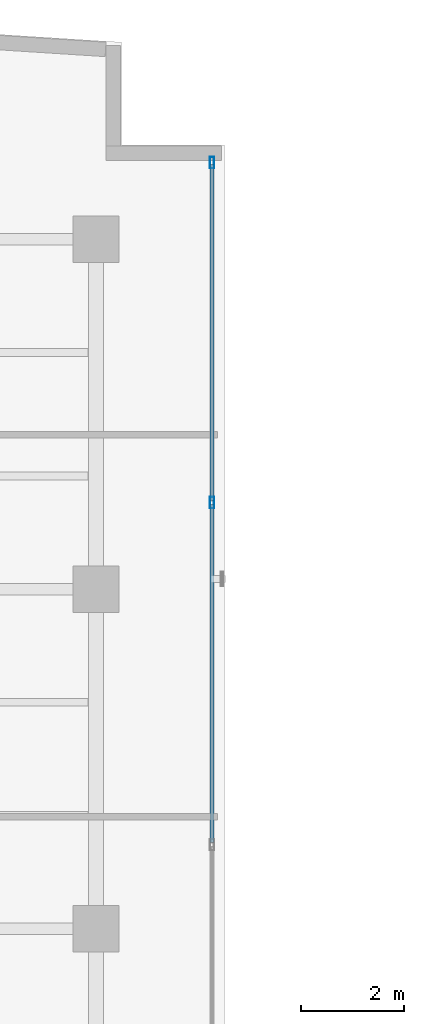
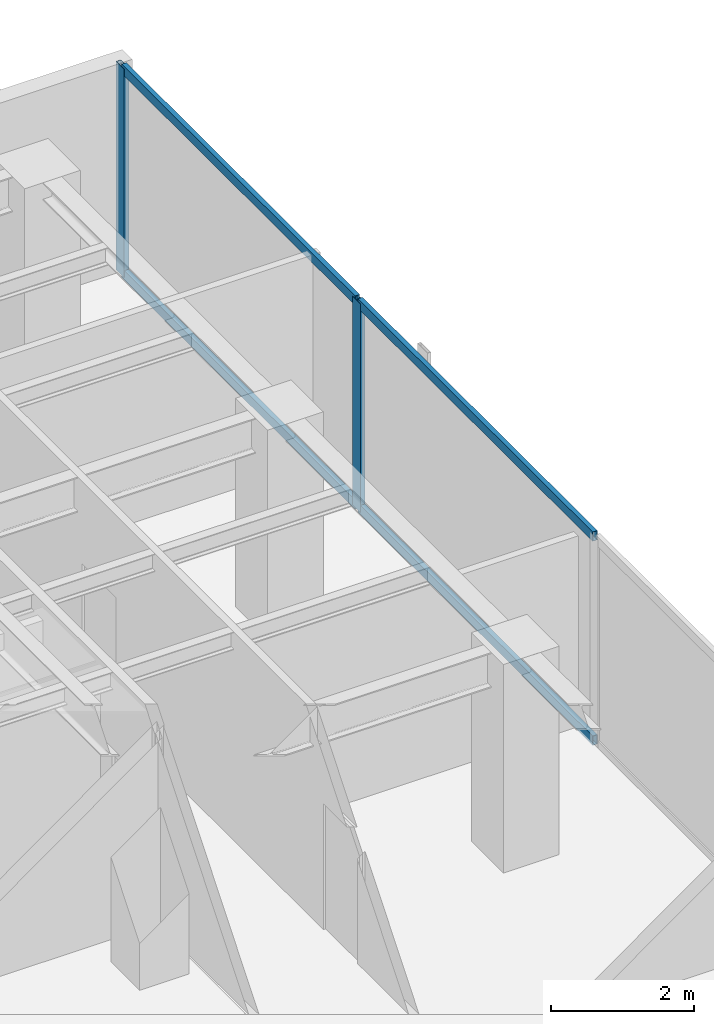
# One storey, part 15 of 24: 6 members, 1 element without a shape of its own.
"""IFC4 building model written with IfcOpenShell, lengths in metres."""

from ifc_helpers import new_model, si_unit, direction, frame, origin, origin_with_axes, origin_2d, place, context, subcontext, project, spatial, hollow_rectangle, extrude, source, transform, mapped, material, layer, layer_set, material_profile, profile_set, type_object, element, aggregate, save


model = new_model("IFC4")

# Units and contexts
model_context = context("Model", 3, precision=1e-05, world=origin(), true_north=direction((0.0, 1.0)))
body_context = subcontext(model_context, "Body", "Model", "MODEL_VIEW")
ifc_project = project(units=[si_unit("LENGTHUNIT", "METRE"), si_unit("AREAUNIT", "SQUARE_METRE"), si_unit("VOLUMEUNIT", "CUBIC_METRE"), si_unit("PLANEANGLEUNIT", "RADIAN"), si_unit("MASSUNIT", "GRAM", prefix="KILO")], contexts=[model_context])

# Site, building, storey
site_placement = place(None, origin())
site = spatial("IfcSite", under=ifc_project, at=site_placement, CompositionType="ELEMENT")
building_placement = place(site_placement, origin())
building = spatial("IfcBuilding", under=site, at=building_placement, Name="Kolvaren Waterfront Exchange", CompositionType="ELEMENT")
storey_placement = place(building_placement, frame((0.0, 0.0, 300.800048828125)))
storey = spatial("IfcBuildingStorey", under=building, at=storey_placement, Name="L77", CompositionType="ELEMENT", Elevation=300.800048828125)

# Curtain wall, members
ifc_material_1 = material(Name="Anodised bronze aluminium 6063-T6", Category="aluminium")
ifc_layer = layer(ifc_material_1, 0.219970703125, Name="Anodised bronze aluminium 6063-T6")
ifc_layer_set = layer_set([ifc_layer], Name="Anodised bronze aluminium 6063-T6")
curtain_wall_type = type_object("IfcCurtainWallType", Name="ARC-CW-SYS1", PredefinedType="USERDEFINED", material=ifc_layer_set)
curtain_wall_placement = place(storey_placement, origin())
curtain_wall = element("IfcCurtainWall", 1, at=curtain_wall_placement, inside=storey, type_object=curtain_wall_type, Name="L77 stick curtain wall CW1 (CW-L77-NE)", ObjectType="STICK CURTAIN WALL", PredefinedType="USERDEFINED")
ifc_material_2 = material(Name="Anodised aluminium 6063-T6", Category="aluminium")
ifc_material_profile_1 = material_profile(ifc_material_2, hollow_rectangle(XDim=0.080078125, YDim=0.219970703125, WallThickness=0.0048828125, at=origin_2d()), Name="ALU-MUL-220x80x5")
ifc_profile_set_1 = profile_set([ifc_material_profile_1], Name="Anodised aluminium 6063-T6")
member_type_1 = type_object("IfcMemberType", Name="ARC-CWM-220", PredefinedType="MULLION", material=ifc_profile_set_1)
shared_shape_1 = source(origin_with_axes(), body_context, "Body", "SweptSolid", [
    extrude(hollow_rectangle(XDim=0.080078125, YDim=0.219970703125, WallThickness=0.0048828125, at=origin_2d()), origin(), (0.0, 0.0, 1.0), 3.56005859375),
])
member_1_placement = place(storey_placement, frame((21.0546875, 39.482666015625, 0.0), z_axis=(0.0, 0.0, 1.0), x_axis=(-1.0, 0.0, 0.0)))
member_1 = element("IfcMember", 2, at=member_1_placement, type_object=member_type_1, Name="CW1 mullion 3", PredefinedType="MULLION", context=body_context, shape_type="MappedRepresentation", body=[
    mapped(shared_shape_1, transform((0.0, 0.0, 0.0), x_axis=(1.0, 0.0, 0.0), y_axis=(0.0, 1.0, 0.0), z_axis=(0.0, 0.0, 1.0), scale=1.0)),
])
member_2_placement = place(storey_placement, frame((21.0546875, 46.091552734375, 0.0), z_axis=(0.0, 0.0, 1.0), x_axis=(-1.0, 0.0, 0.0)))
member_2 = element("IfcMember", 3, at=member_2_placement, type_object=member_type_1, Name="CW1 mullion 4", PredefinedType="MULLION", context=body_context, shape_type="MappedRepresentation", body=[
    mapped(shared_shape_1, transform((0.0, 0.0, 0.0), x_axis=(1.0, 0.0, 0.0), y_axis=(0.0, 1.0, 0.0), z_axis=(0.0, 0.0, 1.0), scale=1.0)),
])
ifc_material_profile_2 = material_profile(ifc_material_2, hollow_rectangle(XDim=0.074951171875, YDim=0.159912109375, WallThickness=0.00439453125, at=origin_2d()), Name="ALU-TRN-160x75x4.5")
ifc_profile_set_2 = profile_set([ifc_material_profile_2], Name="Anodised aluminium 6063-T6")
member_type_2 = type_object("IfcMemberType", Name="ARC-CWT-160", PredefinedType="USERDEFINED", material=ifc_profile_set_2)
shared_shape_2 = source(origin_with_axes(), body_context, "Body", "SweptSolid", [
    extrude(hollow_rectangle(XDim=0.074951171875, YDim=0.159912109375, WallThickness=0.00439453125, at=origin_2d()), origin(), (0.0, 0.0, 1.0), 6.56884765625),
])
member_3_placement = place(storey_placement, frame((21.0546875, 32.873779296875, 0.037353515625), z_axis=(0.0, 1.0, 0.0), x_axis=(-1.0, 0.0, 0.0)))
member_3 = element("IfcMember", 4, at=member_3_placement, type_object=member_type_2, Name="CW1 transom 2.1", ObjectType="TRANSOM", PredefinedType="USERDEFINED", context=body_context, shape_type="MappedRepresentation", body=[
    mapped(shared_shape_2, transform((0.0, 0.0, 0.0), x_axis=(1.0, 0.0, 0.0), y_axis=(0.0, 1.0, 0.0), z_axis=(0.0, 0.0, 1.0), scale=1.0)),
])
member_4_placement = place(storey_placement, frame((21.0546875, 32.873779296875, 3.5224609375), z_axis=(0.0, 1.0, 0.0), x_axis=(-1.0, 0.0, 0.0)))
member_4 = element("IfcMember", 5, at=member_4_placement, type_object=member_type_2, Name="CW1 transom 2.2", ObjectType="TRANSOM", PredefinedType="USERDEFINED", context=body_context, shape_type="MappedRepresentation", body=[
    mapped(shared_shape_2, transform((0.0, 0.0, 0.0), x_axis=(1.0, 0.0, 0.0), y_axis=(0.0, 1.0, 0.0), z_axis=(0.0, 0.0, 1.0), scale=1.0)),
])
shared_shape_3 = source(origin_with_axes(), body_context, "Body", "SweptSolid", [
    extrude(hollow_rectangle(XDim=0.074951171875, YDim=0.159912109375, WallThickness=0.00439453125, at=origin_2d()), origin(), (0.0, 0.0, 1.0), 6.52880859375),
])
member_5_placement = place(storey_placement, frame((21.0546875, 39.522705078125, 0.037353515625), z_axis=(0.0, 1.0, 0.0), x_axis=(-1.0, 0.0, 0.0)))
member_5 = element("IfcMember", 6, at=member_5_placement, type_object=member_type_2, Name="CW1 transom 3.1", ObjectType="TRANSOM", PredefinedType="USERDEFINED", context=body_context, shape_type="MappedRepresentation", body=[
    mapped(shared_shape_3, transform((0.0, 0.0, 0.0), x_axis=(1.0, 0.0, 0.0), y_axis=(0.0, 1.0, 0.0), z_axis=(0.0, 0.0, 1.0), scale=1.0)),
])
member_6_placement = place(storey_placement, frame((21.0546875, 39.522705078125, 3.5224609375), z_axis=(0.0, 1.0, 0.0), x_axis=(-1.0, 0.0, 0.0)))
member_6 = element("IfcMember", 7, at=member_6_placement, type_object=member_type_2, Name="CW1 transom 3.2", ObjectType="TRANSOM", PredefinedType="USERDEFINED", context=body_context, shape_type="MappedRepresentation", body=[
    mapped(shared_shape_3, transform((0.0, 0.0, 0.0), x_axis=(1.0, 0.0, 0.0), y_axis=(0.0, 1.0, 0.0), z_axis=(0.0, 0.0, 1.0), scale=1.0)),
])
aggregate(curtain_wall, [member_1, member_2, member_3, member_4, member_5, member_6])

save(model, "model.ifc")
